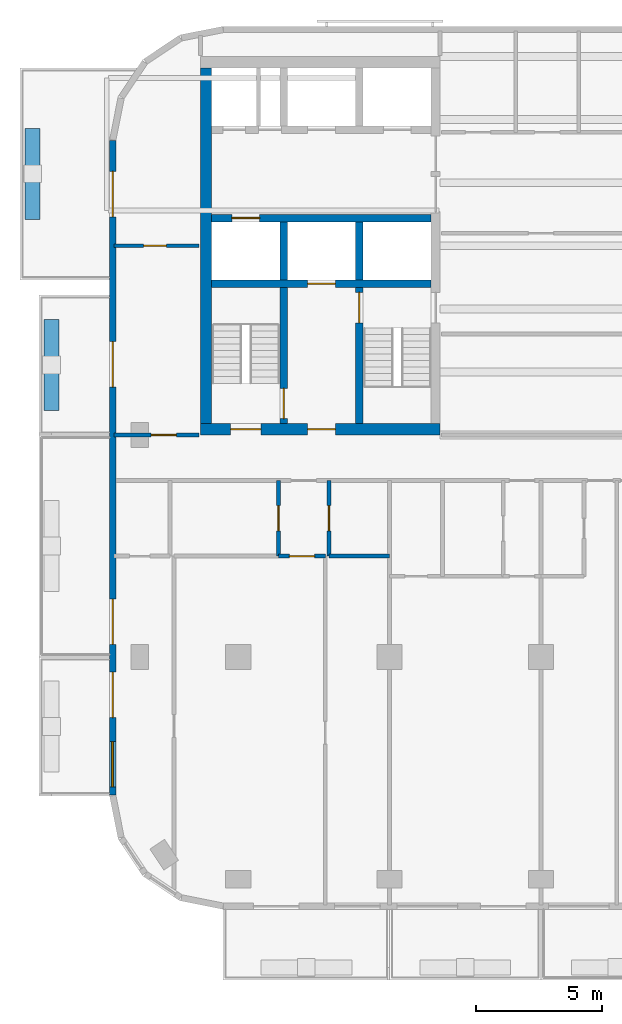
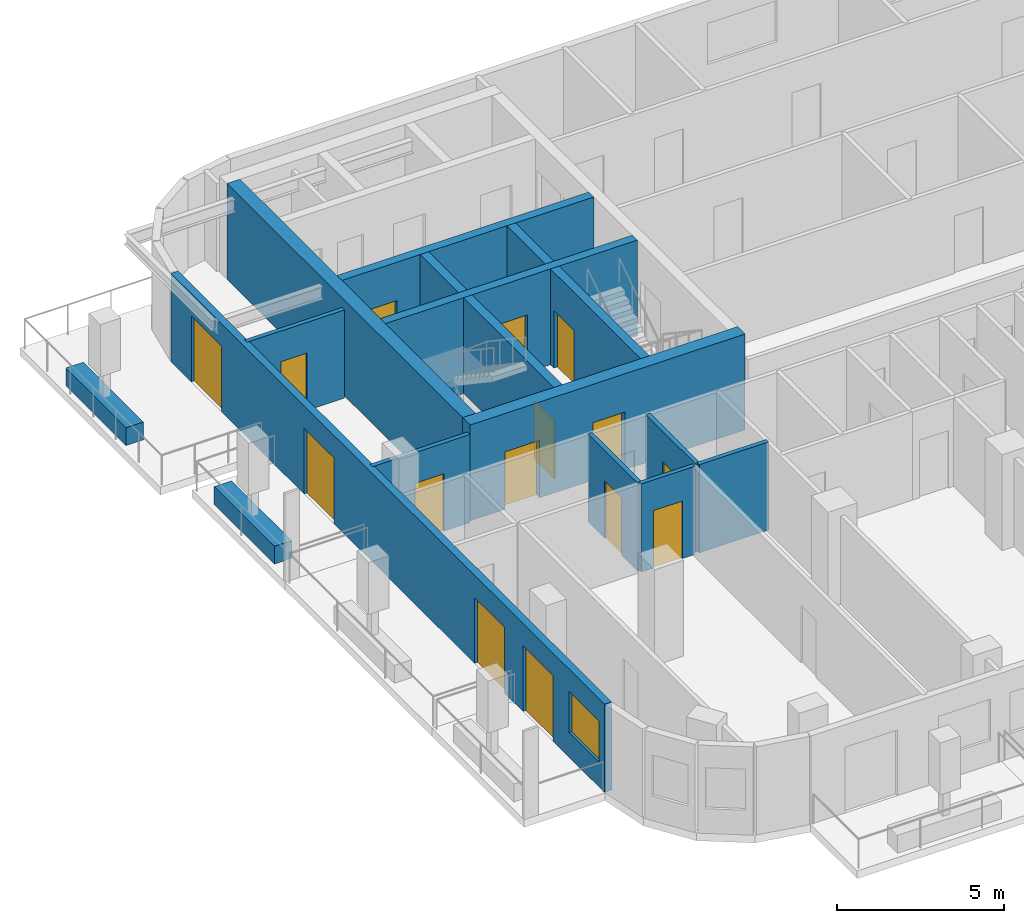
# One storey, part 3 of 11: 17 walls, 15 doors, 1 window, 16 openings.
"""IFC4 building model written with IfcOpenShell, lengths in metres."""

from ifc_helpers import new_model, si_unit, direction, frame, frame_2d, origin, place, context, subcontext, project, spatial, rectangle, extrude, material, layer, layer_set, type_object, element, fill, save


model = new_model("IFC4")

# Units and contexts
model_context = context("Model", 3, precision=1e-05, world=origin(), true_north=direction((0.0, 1.0)))
body_context = subcontext(model_context, "Body", "Model", "MODEL_VIEW")
ifc_project = project(units=[si_unit("LENGTHUNIT", "METRE"), si_unit("AREAUNIT", "SQUARE_METRE"), si_unit("VOLUMEUNIT", "CUBIC_METRE"), si_unit("PLANEANGLEUNIT", "RADIAN"), si_unit("MASSUNIT", "GRAM", prefix="KILO")], contexts=[model_context])

# Site, building, storey
site_placement = place(None, origin())
site = spatial("IfcSite", under=ifc_project, at=site_placement, CompositionType="ELEMENT")
building_placement = place(site_placement, origin())
building = spatial("IfcBuilding", under=site, at=building_placement, Name="Torana Hotel and Residences", CompositionType="ELEMENT")
storey_placement = place(building_placement, frame((0.0, 0.0, 259.60009765625)))
storey = spatial("IfcBuildingStorey", under=building, at=storey_placement, Name="L68", CompositionType="ELEMENT", Elevation=259.60009765625)

# Wall, opening, door
ifc_material_1 = material(Name="Concrete C60/75", Category="concrete")
ifc_layer_1 = layer(ifc_material_1, 0.300048828125)
ifc_layer_set_1 = layer_set([ifc_layer_1], Name="CORE WALL 300 C60/75")
wall_type_1 = type_object("IfcWallType", Name="CORE WALL 300 C60/75", PredefinedType="SHEAR", material=ifc_layer_set_1)
wall_1_placement = place(storey_placement, frame((-19.050048828125, -6.39990234375, 0.0), z_axis=(0.0, 0.0, 1.0), x_axis=(1.0, 0.0, 0.0)))
wall_1 = element("IfcWall", 1, at=wall_1_placement, inside=storey, type_object=wall_type_1, Name="Core wall W row-S", PredefinedType="SHEAR", context=body_context, shape_type="SweptSolid", body=[
    extrude(rectangle(XDim=8.699951171875, YDim=0.300048828125, at=frame_2d((4.35009765625, 0.0))), origin(), (0.0, 0.0, 1.0), 3.5),
])
opening_1_placement = place(wall_1_placement, frame((0.800048828125, 0.0, 0.0)))
opening_1 = element("IfcOpeningElement", 2, at=opening_1_placement, cuts=wall_1, Name="Opening LD", PredefinedType="OPENING", context=body_context, shape_type="SweptSolid", body=[
    extrude(rectangle(XDim=1.10009765625, YDim=2.10009765625, at=frame_2d((0.550048828125, 1.050048828125))), frame((0.0, 0.159912109375, 0.0), z_axis=(0.0, -1.0, 0.0), x_axis=(1.0, 0.0, 0.0)), (0.0, 0.0, 1.0), 0.320068359375),
])
ifc_material_2 = material(Name="Stainless steel 316", Category="steel")
door_type_1 = type_object("IfcDoorType", Name="LIFT LANDING DOOR LD 1100x2100", OperationType="DOUBLE_DOOR_SLIDING", PredefinedType="USERDEFINED", material=ifc_material_2)
door_1_placement = place(opening_1_placement, origin())
door_1 = element("IfcDoor", 3, at=door_1_placement, inside=storey, type_object=door_type_1, Name="Lift landing door SV1 L68", ObjectType="LIFT LANDING DOOR", OperationType="DOUBLE_DOOR_SLIDING", OverallHeight=2.10009765625, OverallWidth=1.10009765625, PredefinedType="USERDEFINED", context=body_context, shape_type="SweptSolid", body=[
    extrude(rectangle(XDim=1.10009765625, YDim=2.10009765625, at=frame_2d((0.550048828125, 1.050048828125))), frame((0.0, 0.02490234375, 0.0), z_axis=(0.0, -1.0, 0.0), x_axis=(1.0, 0.0, 0.0)), (0.0, 0.0, 1.0), 0.050048828125),
])
fill(opening_1, door_1)

wall_2_placement = place(storey_placement, frame((-19.050048828125, -9.0, 0.0), z_axis=(0.0, 0.0, 1.0), x_axis=(1.0, 0.0, 0.0)))
wall_2 = element("IfcWall", 4, at=wall_2_placement, inside=storey, type_object=wall_type_1, Name="Core wall W band", PredefinedType="SHEAR", context=body_context, shape_type="SweptSolid", body=[
    extrude(rectangle(XDim=8.699951171875, YDim=0.300048828125, at=frame_2d((4.35009765625, 0.0))), origin(), (0.0, 0.0, 1.0), 3.5),
])
opening_2_placement = place(wall_2_placement, frame((3.800048828125, 0.0, 0.0)))
opening_2 = element("IfcOpeningElement", 5, at=opening_2_placement, cuts=wall_2, Name="Opening LD", PredefinedType="OPENING", context=body_context, shape_type="SweptSolid", body=[
    extrude(rectangle(XDim=1.10009765625, YDim=2.10009765625, at=frame_2d((0.550048828125, 1.050048828125))), frame((0.0, 0.159912109375, 0.0), z_axis=(0.0, -1.0, 0.0), x_axis=(1.0, 0.0, 0.0)), (0.0, 0.0, 1.0), 0.320068359375),
])
door_2_placement = place(opening_2_placement, origin())
door_2 = element("IfcDoor", 6, at=door_2_placement, inside=storey, type_object=door_type_1, Name="Lift landing door FF1 L68", ObjectType="LIFT LANDING DOOR", OperationType="DOUBLE_DOOR_SLIDING", OverallHeight=2.10009765625, OverallWidth=1.10009765625, PredefinedType="USERDEFINED", context=body_context, shape_type="SweptSolid", body=[
    extrude(rectangle(XDim=1.10009765625, YDim=2.10009765625, at=frame_2d((0.550048828125, 1.050048828125))), frame((0.0, 0.02490234375, 0.0), z_axis=(0.0, -1.0, 0.0), x_axis=(1.0, 0.0, 0.0)), (0.0, 0.0, 1.0), 0.050048828125),
])
fill(opening_2, door_2)

# Wall
wall_3_placement = place(storey_placement, frame((-13.199951171875, -8.85009765625, 0.0), z_axis=(0.0, 0.0, 1.0), x_axis=(0.0, 1.0, 0.0)))
element("IfcWall", 7, at=wall_3_placement, inside=storey, type_object=wall_type_1, Name="Core wall W x3.05-S", PredefinedType="SHEAR", context=body_context, shape_type="SweptSolid", body=[
    extrude(rectangle(XDim=2.300048828125, YDim=0.300048828125, at=frame_2d((1.14990234375, 0.0))), origin(), (0.0, 0.0, 1.0), 3.5),
])

# Wall, opening, door
wall_4_placement = place(storey_placement, frame((-13.199951171875, -14.550048828125, 0.0), z_axis=(0.0, 0.0, 1.0), x_axis=(0.0, 1.0, 0.0)))
wall_4 = element("IfcWall", 8, at=wall_4_placement, inside=storey, type_object=wall_type_1, Name="Core wall W x3.05-band", PredefinedType="SHEAR", context=body_context, shape_type="SweptSolid", body=[
    extrude(rectangle(XDim=5.400146484375, YDim=0.300048828125, at=frame_2d((2.7001953125, 0.0))), origin(), (0.0, 0.0, 1.0), 3.5),
])
opening_3_placement = place(wall_4_placement, frame((4.0, 0.0, 0.0)))
opening_3 = element("IfcOpeningElement", 9, at=opening_3_placement, cuts=wall_4, Name="Opening L68-08", PredefinedType="OPENING", context=body_context, shape_type="SweptSolid", body=[
    extrude(rectangle(XDim=1.199951171875, YDim=2.10009765625, at=frame_2d((0.60009765625, 1.050048828125))), frame((0.0, 0.159912109375, 0.0), z_axis=(0.0, -1.0, 0.0), x_axis=(1.0, 0.0, 0.0)), (0.0, 0.0, 1.0), 0.320068359375),
])
ifc_material_3 = material(Name="Steel S235", Category="steel")
door_type_2 = type_object("IfcDoorType", Name="STAIR FIRE DOOR D3 1200x2100", OperationType="SINGLE_SWING_LEFT", PredefinedType="DOOR", material=ifc_material_3)
door_3_placement = place(opening_3_placement, frame((0.60009765625, 0.0, 0.0), z_axis=(0.0, 0.0, 1.0), x_axis=(-1.0, 0.0, 0.0)))
door_3 = element("IfcDoor", 10, at=door_3_placement, inside=storey, type_object=door_type_2, Name="Stair-A-lobby door L68", OperationType="SINGLE_SWING_RIGHT", OverallHeight=2.10009765625, OverallWidth=1.199951171875, PredefinedType="DOOR", context=body_context, shape_type="SweptSolid", body=[
    extrude(rectangle(XDim=1.199951171875, YDim=2.10009765625, at=frame_2d((0.0, 1.050048828125))), frame((0.0, -0.02490234375, 0.0), z_axis=(0.0, 1.0, 0.0), x_axis=(-1.0, 0.0, 0.0)), (0.0, 0.0, 1.0), 0.050048828125),
])
fill(opening_3, door_3)

# Wall
wall_5_placement = place(storey_placement, frame((-16.199951171875, -8.85009765625, 0.0), z_axis=(0.0, 0.0, 1.0), x_axis=(0.0, 1.0, 0.0)))
element("IfcWall", 11, at=wall_5_placement, inside=storey, type_object=wall_type_1, Name="Core wall W x6.05-S", PredefinedType="SHEAR", context=body_context, shape_type="SweptSolid", body=[
    extrude(rectangle(XDim=2.300048828125, YDim=0.300048828125, at=frame_2d((1.14990234375, 0.0))), origin(), (0.0, 0.0, 1.0), 3.5),
])

# Wall, opening, door
wall_6_placement = place(storey_placement, frame((-16.199951171875, -14.550048828125, 0.0), z_axis=(0.0, 0.0, 1.0), x_axis=(0.0, 1.0, 0.0)))
wall_6 = element("IfcWall", 12, at=wall_6_placement, inside=storey, type_object=wall_type_1, Name="Core wall W x6.05-band", PredefinedType="SHEAR", context=body_context, shape_type="SweptSolid", body=[
    extrude(rectangle(XDim=5.400146484375, YDim=0.300048828125, at=frame_2d((2.7001953125, 0.0))), origin(), (0.0, 0.0, 1.0), 3.5),
])
opening_4_placement = place(wall_6_placement, frame((0.199951171875, 0.0, 0.0)))
opening_4 = element("IfcOpeningElement", 13, at=opening_4_placement, cuts=wall_6, Name="Opening L68-09", PredefinedType="OPENING", context=body_context, shape_type="SweptSolid", body=[
    extrude(rectangle(XDim=1.199951171875, YDim=2.10009765625, at=frame_2d((0.60009765625, 1.050048828125))), frame((0.0, 0.159912109375, 0.0), z_axis=(0.0, -1.0, 0.0), x_axis=(1.0, 0.0, 0.0)), (0.0, 0.0, 1.0), 0.320068359375),
])
door_4_placement = place(opening_4_placement, origin())
door_4 = element("IfcDoor", 14, at=door_4_placement, inside=storey, type_object=door_type_2, Name="Stair-B-lobby door L68", OperationType="SINGLE_SWING_RIGHT", OverallHeight=2.10009765625, OverallWidth=1.199951171875, PredefinedType="DOOR", context=body_context, shape_type="SweptSolid", body=[
    extrude(rectangle(XDim=1.199951171875, YDim=2.10009765625, at=frame_2d((0.60009765625, 1.050048828125))), frame((0.0, 0.02490234375, 0.0), z_axis=(0.0, -1.0, 0.0), x_axis=(1.0, 0.0, 0.0)), (0.0, 0.0, 1.0), 0.050048828125),
])
fill(opening_4, door_4)

# Wall, openings, doors
ifc_material_4 = material(Name="Concrete C60/75", Category="concrete")
ifc_layer_2 = layer(ifc_material_4, 0.449951171875)
ifc_layer_set_2 = layer_set([ifc_layer_2], Name="CORE WALL 450 C60/75")
wall_type_2 = type_object("IfcWallType", Name="CORE WALL 450 C60/75", PredefinedType="SHEAR", material=ifc_layer_set_2)
wall_7_placement = place(storey_placement, frame((-19.5, -14.77490234375, 0.0), z_axis=(0.0, 0.0, 1.0), x_axis=(1.0, 0.0, 0.0)))
wall_7 = element("IfcWall", 15, at=wall_7_placement, inside=storey, type_object=wall_type_2, Name="Core wall W front", PredefinedType="SHEAR", context=body_context, shape_type="SweptSolid", body=[
    extrude(rectangle(XDim=9.5, YDim=0.449951171875, at=frame_2d((4.75, 0.0))), origin(), (0.0, 0.0, 1.0), 3.5),
])
opening_5_placement = place(wall_7_placement, frame((1.199951171875, 0.0, 0.0)))
opening_5 = element("IfcOpeningElement", 16, at=opening_5_placement, cuts=wall_7, Name="Opening L68-04", PredefinedType="OPENING", context=body_context, shape_type="SweptSolid", body=[
    extrude(rectangle(XDim=1.199951171875, YDim=2.10009765625, at=frame_2d((0.60009765625, 1.050048828125))), frame((0.0, 0.23486328125, 0.0), z_axis=(0.0, -1.0, 0.0), x_axis=(1.0, 0.0, 0.0)), (0.0, 0.0, 1.0), 0.469970703125),
])
opening_6_placement = place(wall_7_placement, frame((4.25, 0.0, 0.0)))
opening_6 = element("IfcOpeningElement", 17, at=opening_6_placement, cuts=wall_7, Name="Opening L68-05", PredefinedType="OPENING", context=body_context, shape_type="SweptSolid", body=[
    extrude(rectangle(XDim=1.10009765625, YDim=2.10009765625, at=frame_2d((0.550048828125, 1.050048828125))), frame((0.0, 0.23486328125, 0.0), z_axis=(0.0, -1.0, 0.0), x_axis=(1.0, 0.0, 0.0)), (0.0, 0.0, 1.0), 0.469970703125),
])
ifc_material_5 = material(Name="Steel S235", Category="steel")
door_type_3 = type_object("IfcDoorType", Name="FIRE-FIGHTING LOBBY DOOR D8 1100x2100", OperationType="SINGLE_SWING_LEFT", PredefinedType="DOOR", material=ifc_material_5)
door_5_placement = place(opening_6_placement, origin())
door_5 = element("IfcDoor", 18, at=door_5_placement, inside=storey, type_object=door_type_3, Name="FF-lobby door L68", OperationType="SINGLE_SWING_RIGHT", OverallHeight=2.10009765625, OverallWidth=1.10009765625, PredefinedType="DOOR", context=body_context, shape_type="SweptSolid", body=[
    extrude(rectangle(XDim=1.10009765625, YDim=2.10009765625, at=frame_2d((0.550048828125, 1.050048828125))), frame((0.0, 0.02490234375, 0.0), z_axis=(0.0, -1.0, 0.0), x_axis=(1.0, 0.0, 0.0)), (0.0, 0.0, 1.0), 0.050048828125),
])
fill(opening_6, door_5)
door_6_placement = place(opening_5_placement, origin())
door_6 = element("IfcDoor", 19, at=door_6_placement, inside=storey, type_object=door_type_2, Name="Stair-B door L68", OperationType="SINGLE_SWING_RIGHT", OverallHeight=2.10009765625, OverallWidth=1.199951171875, PredefinedType="DOOR", context=body_context, shape_type="SweptSolid", body=[
    extrude(rectangle(XDim=1.199951171875, YDim=2.10009765625, at=frame_2d((0.60009765625, 1.050048828125))), frame((0.0, 0.02490234375, 0.0), z_axis=(0.0, -1.0, 0.0), x_axis=(1.0, 0.0, 0.0)), (0.0, 0.0, 1.0), 0.050048828125),
])
fill(opening_5, door_6)

# Wall
wall_8_placement = place(storey_placement, frame((-19.27490234375, -14.550048828125, 0.0), z_axis=(0.0, 0.0, 1.0), x_axis=(0.0, 1.0, 0.0)))
element("IfcWall", 20, at=wall_8_placement, inside=storey, type_object=wall_type_2, Name="Core wall W outer", PredefinedType="SHEAR", context=body_context, shape_type="SweptSolid", body=[
    extrude(rectangle(XDim=14.10009765625, YDim=0.449951171875, at=frame_2d((7.050048828125, 0.0))), origin(), (0.0, 0.0, 1.0), 3.5),
])

# Wall, openings, doors, window
ifc_material_6 = material(Name="Black aluminium composite panel", Category="aluminium")
ifc_layer_3 = layer(ifc_material_6, 0.00390625, Name="Cladding", Category="cladding")
ifc_material_7 = material(Name="Ventilated air cavity")
ifc_layer_4 = layer(ifc_material_7, 0.0400390625, Name="Ventilated cavity", Category="cavity")
ifc_material_8 = material(Name="Mineral wool insulation")
ifc_layer_5 = layer(ifc_material_8, 0.090087890625, Name="Insulation", Category="insulation")
ifc_material_9 = material(Name="Steel S280GD", Category="steel")
ifc_layer_6 = layer(ifc_material_9, 0.092041015625, Name="Steel stud frame", Category="structure")
ifc_material_10 = material(Name="Fire rated plasterboard")
ifc_layer_7 = layer(ifc_material_10, 0.011962890625, Name="Inner board", Category="finish")
ifc_layer_8 = layer(ifc_material_10, 0.011962890625, Name="Second board", Category="finish")
ifc_layer_set_3 = layer_set([ifc_layer_3, ifc_layer_4, ifc_layer_5, ifc_layer_6, ifc_layer_7, ifc_layer_8], Name="EW1 EXTERNAL WALL BLACK METAL CLAD 250")
wall_type_3 = type_object("IfcWallType", Name="EW1 EXTERNAL WALL BLACK METAL CLAD 250", PredefinedType="SOLIDWALL", material=ifc_layer_set_3)
wall_9_placement = place(storey_placement, frame((-22.97509765625, -3.32470703125, 0.0), z_axis=(0.0, 0.0, 1.0), x_axis=(0.0, -1.0, 0.0)))
wall_9 = element("IfcWall", 21, at=wall_9_placement, inside=storey, type_object=wall_type_3, Name="External wall L68 e0.9", PredefinedType="SOLIDWALL", context=body_context, shape_type="SweptSolid", body=[
    extrude(rectangle(XDim=25.95068359375, YDim=0.25, at=frame_2d((12.975341796875, 0.0))), origin(), (0.0, 0.0, 1.0), 3.219970703125),
])
opening_7_placement = place(wall_9_placement, frame((1.225341796875, 0.0, 0.0)))
opening_7 = element("IfcOpeningElement", 22, at=opening_7_placement, cuts=wall_9, Name="Opening L68-E11", PredefinedType="OPENING", context=body_context, shape_type="SweptSolid", body=[
    extrude(rectangle(XDim=1.800048828125, YDim=2.39990234375, at=frame_2d((0.89990234375, 1.199951171875))), frame((0.0, 0.135009765625, 0.0), z_axis=(0.0, -1.0, 0.0), x_axis=(1.0, 0.0, 0.0)), (0.0, 0.0, 1.0), 0.27001953125),
])
opening_8_placement = place(wall_9_placement, frame((7.975341796875, 0.0, 0.0)))
opening_8 = element("IfcOpeningElement", 23, at=opening_8_placement, cuts=wall_9, Name="Opening L68-E12", PredefinedType="OPENING", context=body_context, shape_type="SweptSolid", body=[
    extrude(rectangle(XDim=1.800048828125, YDim=2.39990234375, at=frame_2d((0.89990234375, 1.199951171875))), frame((0.0, 0.135009765625, 0.0), z_axis=(0.0, -1.0, 0.0), x_axis=(1.0, 0.0, 0.0)), (0.0, 0.0, 1.0), 0.27001953125),
])
opening_9_placement = place(wall_9_placement, frame((18.17529296875, 0.0, 0.0)))
opening_9 = element("IfcOpeningElement", 24, at=opening_9_placement, cuts=wall_9, Name="Opening L68-E13", PredefinedType="OPENING", context=body_context, shape_type="SweptSolid", body=[
    extrude(rectangle(XDim=1.800048828125, YDim=2.39990234375, at=frame_2d((0.89990234375, 1.199951171875))), frame((0.0, 0.135009765625, 0.0), z_axis=(0.0, -1.0, 0.0), x_axis=(1.0, 0.0, 0.0)), (0.0, 0.0, 1.0), 0.27001953125),
])
opening_10_placement = place(wall_9_placement, frame((21.075439453125, 0.0, 0.0)))
opening_10 = element("IfcOpeningElement", 25, at=opening_10_placement, cuts=wall_9, Name="Opening L68-E14", PredefinedType="OPENING", context=body_context, shape_type="SweptSolid", body=[
    extrude(rectangle(XDim=1.800048828125, YDim=2.39990234375, at=frame_2d((0.89990234375, 1.199951171875))), frame((0.0, 0.135009765625, 0.0), z_axis=(0.0, -1.0, 0.0), x_axis=(1.0, 0.0, 0.0)), (0.0, 0.0, 1.0), 0.27001953125),
])
opening_11_placement = place(wall_9_placement, frame((23.825439453125, 0.0, 0.89990234375)))
opening_11 = element("IfcOpeningElement", 26, at=opening_11_placement, cuts=wall_9, Name="Opening W4", PredefinedType="OPENING", context=body_context, shape_type="SweptSolid", body=[
    extrude(rectangle(XDim=1.800048828125, YDim=1.5, at=frame_2d((0.89990234375, 0.75))), frame((0.0, 0.135009765625, 0.0), z_axis=(0.0, -1.0, 0.0), x_axis=(1.0, 0.0, 0.0)), (0.0, 0.0, 1.0), 0.27001953125),
])
ifc_material_11 = material(Name="Dark glass in black aluminium frame", Category="aluminium")
door_type_4 = type_object("IfcDoorType", Name="DB1 BALCONY DOOR 1800x2400", OperationType="DOUBLE_DOOR_SINGLE_SWING", PredefinedType="DOOR", material=ifc_material_11)
door_7_placement = place(opening_7_placement, origin())
door_7 = element("IfcDoor", 27, at=door_7_placement, inside=storey, type_object=door_type_4, Name="Balcony door L68", OperationType="DOUBLE_DOOR_SINGLE_SWING", OverallHeight=2.39990234375, OverallWidth=1.800048828125, PredefinedType="DOOR", context=body_context, shape_type="SweptSolid", body=[
    extrude(rectangle(XDim=1.800048828125, YDim=2.39990234375, at=frame_2d((0.89990234375, 1.199951171875))), frame((0.0, 0.02490234375, 0.0), z_axis=(0.0, -1.0, 0.0), x_axis=(1.0, 0.0, 0.0)), (0.0, 0.0, 1.0), 0.050048828125),
])
fill(opening_7, door_7)
door_8_placement = place(opening_8_placement, origin())
door_8 = element("IfcDoor", 28, at=door_8_placement, inside=storey, type_object=door_type_4, Name="Balcony door L68", OperationType="DOUBLE_DOOR_SINGLE_SWING", OverallHeight=2.39990234375, OverallWidth=1.800048828125, PredefinedType="DOOR", context=body_context, shape_type="SweptSolid", body=[
    extrude(rectangle(XDim=1.800048828125, YDim=2.39990234375, at=frame_2d((0.89990234375, 1.199951171875))), frame((0.0, 0.02490234375, 0.0), z_axis=(0.0, -1.0, 0.0), x_axis=(1.0, 0.0, 0.0)), (0.0, 0.0, 1.0), 0.050048828125),
])
fill(opening_8, door_8)
door_9_placement = place(opening_9_placement, origin())
door_9 = element("IfcDoor", 29, at=door_9_placement, inside=storey, type_object=door_type_4, Name="Balcony door L68", OperationType="DOUBLE_DOOR_SINGLE_SWING", OverallHeight=2.39990234375, OverallWidth=1.800048828125, PredefinedType="DOOR", context=body_context, shape_type="SweptSolid", body=[
    extrude(rectangle(XDim=1.800048828125, YDim=2.39990234375, at=frame_2d((0.89990234375, 1.199951171875))), frame((0.0, 0.02490234375, 0.0), z_axis=(0.0, -1.0, 0.0), x_axis=(1.0, 0.0, 0.0)), (0.0, 0.0, 1.0), 0.050048828125),
])
fill(opening_9, door_9)
door_10_placement = place(opening_10_placement, origin())
door_10 = element("IfcDoor", 30, at=door_10_placement, inside=storey, type_object=door_type_4, Name="Balcony door L68", OperationType="DOUBLE_DOOR_SINGLE_SWING", OverallHeight=2.39990234375, OverallWidth=1.800048828125, PredefinedType="DOOR", context=body_context, shape_type="SweptSolid", body=[
    extrude(rectangle(XDim=1.800048828125, YDim=2.39990234375, at=frame_2d((0.89990234375, 1.199951171875))), frame((0.0, 0.02490234375, 0.0), z_axis=(0.0, -1.0, 0.0), x_axis=(1.0, 0.0, 0.0)), (0.0, 0.0, 1.0), 0.050048828125),
])
fill(opening_10, door_10)
ifc_material_12 = material(Name="Dark glass in black aluminium frame", Category="aluminium")
window_type = type_object("IfcWindowType", Name="W4 RESIDENCE WINDOW NARROW 1800x1500", PartitioningType="SINGLE_PANEL", PredefinedType="WINDOW", material=ifc_material_12)
window_placement = place(opening_11_placement, origin())
window = element("IfcWindow", 31, at=window_placement, inside=storey, type_object=window_type, Name="Window L68", OverallHeight=1.5, OverallWidth=1.800048828125, PartitioningType="SINGLE_PANEL", PredefinedType="WINDOW", context=body_context, shape_type="SweptSolid", body=[
    extrude(rectangle(XDim=1.800048828125, YDim=1.5, at=frame_2d((0.89990234375, 0.75))), frame((0.0, 0.030029296875, 0.0), z_axis=(0.0, -1.0, 0.0), x_axis=(1.0, 0.0, 0.0)), (0.0, 0.0, 1.0), 0.06005859375),
])
fill(opening_11, window)

# Wall, opening, door
ifc_material_13 = material(Name="Gypsum plaster")
ifc_layer_9 = layer(ifc_material_13, 0.014892578125, Name="Plaster", Category="finish")
ifc_material_14 = material(Name="Concrete blockwork", Category="masonry")
ifc_layer_10 = layer(ifc_material_14, 0.1201171875, Name="Blockwork", Category="structure")
ifc_layer_11 = layer(ifc_material_13, 0.014892578125, Name="Plaster", Category="finish")
ifc_layer_set_4 = layer_set([ifc_layer_9, ifc_layer_10, ifc_layer_11], Name="FIRE PARTITION 150 BLOCKWORK")
wall_type_4 = type_object("IfcWallType", Name="FIRE PARTITION 150 BLOCKWORK", PredefinedType="PARTITIONING", material=ifc_layer_set_4)
wall_10_placement = place(storey_placement, frame((-14.39990234375, -19.800048828125, 0.0), z_axis=(0.0, 0.0, 1.0), x_axis=(0.0, 1.0, 0.0)))
wall_10 = element("IfcWall", 32, at=wall_10_placement, inside=storey, type_object=wall_type_4, Name="Partition L68", PredefinedType="PARTITIONING", context=body_context, shape_type="SweptSolid", body=[
    extrude(rectangle(XDim=3.0, YDim=0.14990234375, at=frame_2d((1.5, 0.0))), origin(), (0.0, 0.0, 1.0), 3.219970703125),
])
opening_12_placement = place(wall_10_placement, frame((1.0, 0.0, 0.0)))
opening_12 = element("IfcOpeningElement", 33, at=opening_12_placement, cuts=wall_10, Name="Opening L68-47", PredefinedType="OPENING", context=body_context, shape_type="SweptSolid", body=[
    extrude(rectangle(XDim=1.0, YDim=2.10009765625, at=frame_2d((0.5, 1.050048828125))), frame((0.0, 0.0849609375, 0.0), z_axis=(0.0, -1.0, 0.0), x_axis=(1.0, 0.0, 0.0)), (0.0, 0.0, 1.0), 0.169921875),
])
ifc_material_15 = material(Name="Steel S235", Category="steel")
door_type_5 = type_object("IfcDoorType", Name="ENTRY FIRE DOOR D6 1000x2100", OperationType="SINGLE_SWING_LEFT", PredefinedType="DOOR", material=ifc_material_15)
door_11_placement = place(opening_12_placement, frame((0.5, 0.0, 0.0), z_axis=(0.0, 0.0, 1.0), x_axis=(-1.0, 0.0, 0.0)))
door_11 = element("IfcDoor", 34, at=door_11_placement, inside=storey, type_object=door_type_5, Name="Door L68", OperationType="SINGLE_SWING_LEFT", OverallHeight=2.10009765625, OverallWidth=1.0, PredefinedType="DOOR", context=body_context, shape_type="SweptSolid", body=[
    extrude(rectangle(XDim=1.0, YDim=2.10009765625, at=frame_2d((0.0, 1.050048828125))), frame((0.0, -0.02490234375, 0.0), z_axis=(0.0, 1.0, 0.0), x_axis=(-1.0, 0.0, 0.0)), (0.0, 0.0, 1.0), 0.050048828125),
])
fill(opening_12, door_11)

wall_11_placement = place(storey_placement, frame((-16.39990234375, -19.800048828125, 0.0), z_axis=(0.0, 0.0, 1.0), x_axis=(0.0, 1.0, 0.0)))
wall_11 = element("IfcWall", 35, at=wall_11_placement, inside=storey, type_object=wall_type_4, Name="Partition L68", PredefinedType="PARTITIONING", context=body_context, shape_type="SweptSolid", body=[
    extrude(rectangle(XDim=3.0, YDim=0.14990234375, at=frame_2d((1.5, 0.0))), origin(), (0.0, 0.0, 1.0), 3.219970703125),
])
opening_13_placement = place(wall_11_placement, frame((1.0, 0.0, 0.0)))
opening_13 = element("IfcOpeningElement", 36, at=opening_13_placement, cuts=wall_11, Name="Opening L68-48", PredefinedType="OPENING", context=body_context, shape_type="SweptSolid", body=[
    extrude(rectangle(XDim=1.0, YDim=2.10009765625, at=frame_2d((0.5, 1.050048828125))), frame((0.0, 0.0849609375, 0.0), z_axis=(0.0, -1.0, 0.0), x_axis=(1.0, 0.0, 0.0)), (0.0, 0.0, 1.0), 0.169921875),
])
door_12_placement = place(opening_13_placement, origin())
door_12 = element("IfcDoor", 37, at=door_12_placement, inside=storey, type_object=door_type_5, Name="Door L68", OperationType="SINGLE_SWING_RIGHT", OverallHeight=2.10009765625, OverallWidth=1.0, PredefinedType="DOOR", context=body_context, shape_type="SweptSolid", body=[
    extrude(rectangle(XDim=1.0, YDim=2.10009765625, at=frame_2d((0.5, 1.050048828125))), frame((0.0, 0.02490234375, 0.0), z_axis=(0.0, -1.0, 0.0), x_axis=(1.0, 0.0, 0.0)), (0.0, 0.0, 1.0), 0.050048828125),
])
fill(opening_13, door_12)

wall_12_placement = place(storey_placement, frame((-16.39990234375, -19.800048828125, 0.0), z_axis=(0.0, 0.0, 1.0), x_axis=(1.0, 0.0, 0.0)))
wall_12 = element("IfcWall", 38, at=wall_12_placement, inside=storey, type_object=wall_type_4, Name="Partition L68", PredefinedType="PARTITIONING", context=body_context, shape_type="SweptSolid", body=[
    extrude(rectangle(XDim=1.849853515625, YDim=0.14990234375, at=frame_2d((0.9248046875, 0.0))), origin(), (0.0, 0.0, 1.0), 3.219970703125),
])
opening_14_placement = place(wall_12_placement, frame((0.425048828125, 0.0, 0.0)))
opening_14 = element("IfcOpeningElement", 39, at=opening_14_placement, cuts=wall_12, Name="Opening L68-49", PredefinedType="OPENING", context=body_context, shape_type="SweptSolid", body=[
    extrude(rectangle(XDim=1.0, YDim=2.10009765625, at=frame_2d((0.5, 1.050048828125))), frame((0.0, 0.0849609375, 0.0), z_axis=(0.0, -1.0, 0.0), x_axis=(1.0, 0.0, 0.0)), (0.0, 0.0, 1.0), 0.169921875),
])
door_13_placement = place(opening_14_placement, frame((0.5, 0.0, 0.0), z_axis=(0.0, 0.0, 1.0), x_axis=(-1.0, 0.0, 0.0)))
door_13 = element("IfcDoor", 40, at=door_13_placement, inside=storey, type_object=door_type_5, Name="Door L68", OperationType="SINGLE_SWING_RIGHT", OverallHeight=2.10009765625, OverallWidth=1.0, PredefinedType="DOOR", context=body_context, shape_type="SweptSolid", body=[
    extrude(rectangle(XDim=1.0, YDim=2.10009765625, at=frame_2d((0.0, 1.050048828125))), frame((0.0, -0.02490234375, 0.0), z_axis=(0.0, 1.0, 0.0), x_axis=(-1.0, 0.0, 0.0)), (0.0, 0.0, 1.0), 0.050048828125),
])
fill(opening_14, door_13)

wall_13_placement = place(storey_placement, frame((-22.919921875, -15.0, 0.0), z_axis=(0.0, 0.0, 1.0), x_axis=(1.0, 0.0, 0.0)))
wall_13 = element("IfcWall", 41, at=wall_13_placement, inside=storey, type_object=wall_type_4, Name="Partition L68", PredefinedType="PARTITIONING", context=body_context, shape_type="SweptSolid", body=[
    extrude(rectangle(XDim=3.369873046875, YDim=0.14990234375, at=frame_2d((1.68505859375, 0.0))), origin(), (0.0, 0.0, 1.0), 3.219970703125),
])
opening_15_placement = place(wall_13_placement, frame((1.469970703125, 0.0, 0.0)))
opening_15 = element("IfcOpeningElement", 42, at=opening_15_placement, cuts=wall_13, Name="Opening L68-29", PredefinedType="OPENING", context=body_context, shape_type="SweptSolid", body=[
    extrude(rectangle(XDim=1.0, YDim=2.10009765625, at=frame_2d((0.5, 1.050048828125))), frame((0.0, 0.0849609375, 0.0), z_axis=(0.0, -1.0, 0.0), x_axis=(1.0, 0.0, 0.0)), (0.0, 0.0, 1.0), 0.169921875),
])
ifc_material_16 = material(Name="Steel S235", Category="steel")
door_type_6 = type_object("IfcDoorType", Name="CORE ROOM FIRE DOOR D14 1000x2100", OperationType="SINGLE_SWING_LEFT", PredefinedType="DOOR", material=ifc_material_16)
door_14_placement = place(opening_15_placement, origin())
door_14 = element("IfcDoor", 43, at=door_14_placement, inside=storey, type_object=door_type_6, Name="Door L68", OperationType="SINGLE_SWING_RIGHT", OverallHeight=2.10009765625, OverallWidth=1.0, PredefinedType="DOOR", context=body_context, shape_type="SweptSolid", body=[
    extrude(rectangle(XDim=1.0, YDim=2.10009765625, at=frame_2d((0.5, 1.050048828125))), frame((0.0, 0.02490234375, 0.0), z_axis=(0.0, -1.0, 0.0), x_axis=(1.0, 0.0, 0.0)), (0.0, 0.0, 1.0), 0.050048828125),
])
fill(opening_15, door_14)

# Wall
ifc_material_17 = material(Name="Gypsum plasterboard")
ifc_layer_12 = layer(ifc_material_17, 0.012451171875, Name="Plasterboard", Category="finish")
ifc_layer_13 = layer(ifc_material_17, 0.012451171875, Name="Plasterboard", Category="finish")
ifc_layer_14 = layer(ifc_material_9, 0.10009765625, Name="Steel studs with mineral wool", Category="insulation")
ifc_layer_15 = layer(ifc_material_17, 0.012451171875, Name="Plasterboard", Category="finish")
ifc_layer_16 = layer(ifc_material_17, 0.012451171875, Name="Plasterboard", Category="finish")
ifc_layer_set_5 = layer_set([ifc_layer_12, ifc_layer_13, ifc_layer_14, ifc_layer_15, ifc_layer_16], Name="PARTITION 150 PLASTERBOARD")
wall_type_5 = type_object("IfcWallType", Name="PARTITION 150 PLASTERBOARD", PredefinedType="PARTITIONING", material=ifc_layer_set_5)
wall_14_placement = place(storey_placement, frame((-14.39990234375, -19.800048828125, 0.0), z_axis=(0.0, 0.0, 1.0), x_axis=(1.0, 0.0, 0.0)))
element("IfcWall", 44, at=wall_14_placement, inside=storey, type_object=wall_type_5, Name="Partition L68", PredefinedType="PARTITIONING", context=body_context, shape_type="SweptSolid", body=[
    extrude(rectangle(XDim=2.39990234375, YDim=0.14990234375, at=frame_2d((1.199951171875, 0.0))), origin(), (0.0, 0.0, 1.0), 3.219970703125),
])

# Wall, opening, door
wall_15_placement = place(storey_placement, frame((-22.919921875, -7.5, 0.0), z_axis=(0.0, 0.0, 1.0), x_axis=(1.0, 0.0, 0.0)))
wall_15 = element("IfcWall", 45, at=wall_15_placement, inside=storey, type_object=wall_type_5, Name="Partition L68", PredefinedType="PARTITIONING", context=body_context, shape_type="SweptSolid", body=[
    extrude(rectangle(XDim=3.369873046875, YDim=0.14990234375, at=frame_2d((1.68505859375, 0.0))), origin(), (0.0, 0.0, 1.0), 3.219970703125),
])
opening_16_placement = place(wall_15_placement, frame((1.169921875, 0.0, 0.0)))
opening_16 = element("IfcOpeningElement", 46, at=opening_16_placement, cuts=wall_15, Name="Opening L68-61", PredefinedType="OPENING", context=body_context, shape_type="SweptSolid", body=[
    extrude(rectangle(XDim=0.89990234375, YDim=2.10009765625, at=frame_2d((0.449951171875, 1.050048828125))), frame((0.0, 0.0849609375, 0.0), z_axis=(0.0, -1.0, 0.0), x_axis=(1.0, 0.0, 0.0)), (0.0, 0.0, 1.0), 0.169921875),
])
ifc_material_18 = material(Name="Timber door, oiled ash", Category="wood")
door_type_7 = type_object("IfcDoorType", Name="ROOM DOOR D7 900x2100", OperationType="SINGLE_SWING_LEFT", PredefinedType="DOOR", material=ifc_material_18)
door_15_placement = place(opening_16_placement, origin())
door_15 = element("IfcDoor", 47, at=door_15_placement, inside=storey, type_object=door_type_7, Name="Door L68", OperationType="SINGLE_SWING_RIGHT", OverallHeight=2.10009765625, OverallWidth=0.89990234375, PredefinedType="DOOR", context=body_context, shape_type="SweptSolid", body=[
    extrude(rectangle(XDim=0.89990234375, YDim=2.10009765625, at=frame_2d((0.449951171875, 1.050048828125))), frame((0.0, 0.02490234375, 0.0), z_axis=(0.0, -1.0, 0.0), x_axis=(1.0, 0.0, 0.0)), (0.0, 0.0, 1.0), 0.050048828125),
])
fill(opening_16, door_15)

# Walls
ifc_material_19 = material(Name="Concrete C40/50 precast", Category="concrete")
ifc_layer_17 = layer(ifc_material_19, 0.10009765625, Name="Planter shell", Category="structure")
ifc_material_20 = material(Name="Root resistant membrane")
ifc_layer_18 = layer(ifc_material_20, 0.00390625, Name="Waterproofing membrane", Category="membrane")
ifc_material_21 = material(Name="Drainage board with filter fleece")
ifc_layer_19 = layer(ifc_material_21, 0.02001953125, Name="Drainage board", Category="drainage")
ifc_material_22 = material(Name="Growing medium")
ifc_layer_20 = layer(ifc_material_22, 0.47607421875, Name="Planting substrate", Category="soil")
ifc_layer_set_6 = layer_set([ifc_layer_17, ifc_layer_18, ifc_layer_19, ifc_layer_20], Name="PL1 BALCONY PLANTER 600")
wall_type_6 = type_object("IfcWallType", Name="PL1 BALCONY PLANTER 600", PredefinedType="USERDEFINED", material=ifc_layer_set_6)
for number, where, z_axis, x_axis, name in (
    (48, (-25.39990234375, -14.02490234375, 0.0), (0.0, 0.0, 1.0), (0.0, 1.0, 0.0), "Planter 09"),
    (49, (-26.14990234375, -6.449951171875, 0.0), (0.0, 0.0, 1.0), (0.0, 1.0, 0.0), "Planter 10"),
):
    element("IfcWall", number, at=place(storey_placement, frame(where, z_axis=z_axis, x_axis=x_axis)), inside=storey, type_object=wall_type_6, Name=name, ObjectType="PLANTER", PredefinedType="USERDEFINED", context=body_context, shape_type="SweptSolid", body=[
        extrude(rectangle(XDim=3.599853515625, YDim=0.60009765625, at=frame_2d((1.7998046875, 0.0))), origin(), (0.0, 0.0, 1.0), 0.64990234375),
    ])

save(model, "model.ifc")
